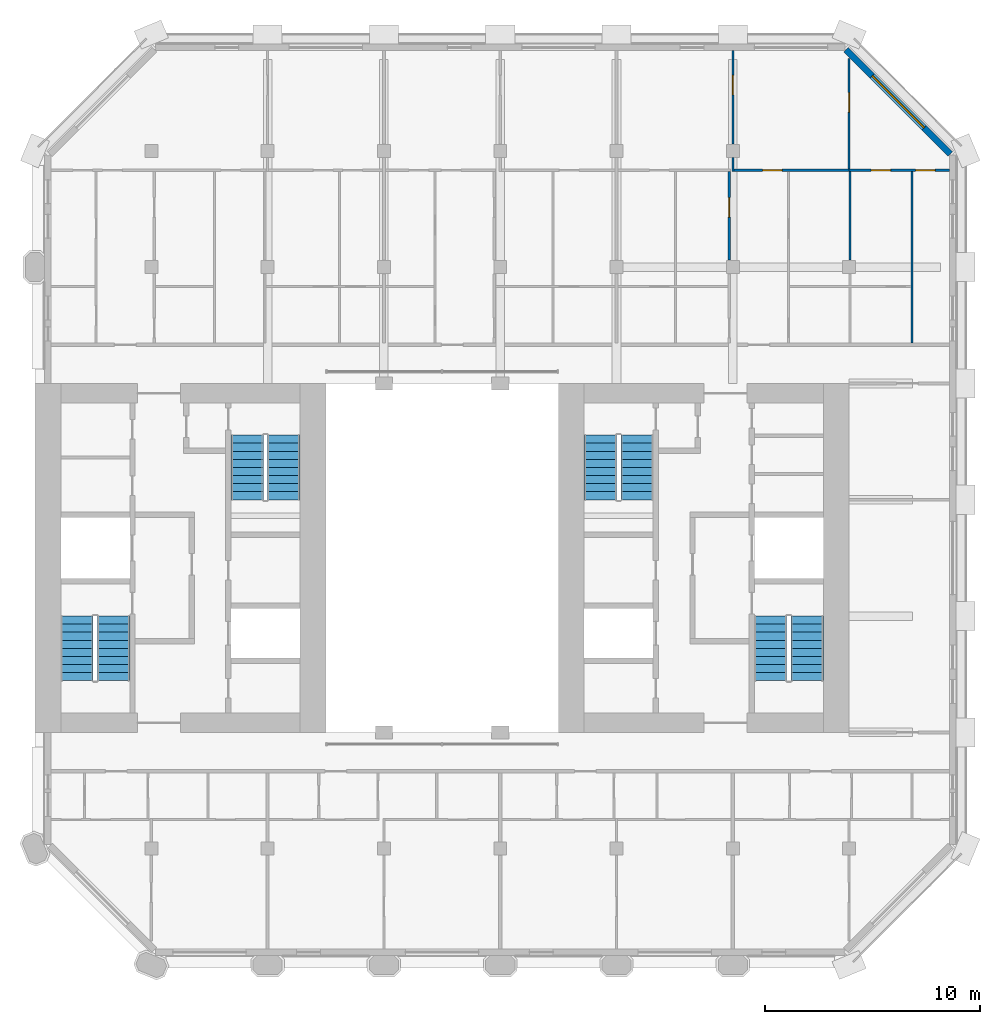
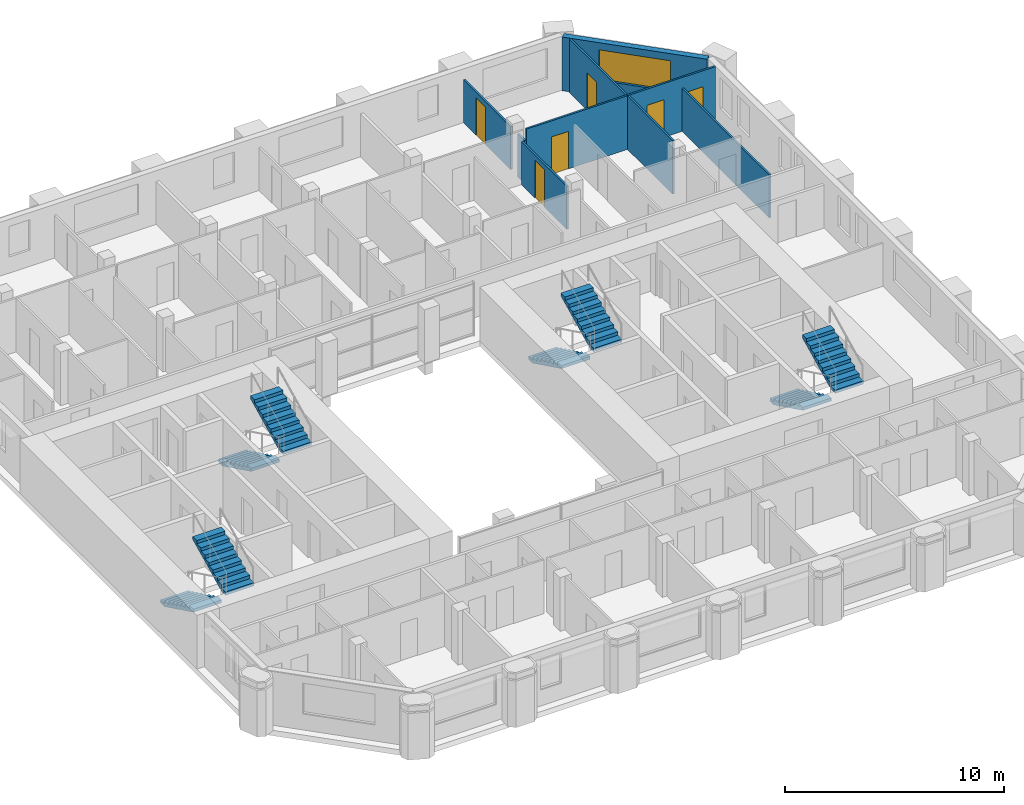
# One storey, part 10 of 13: 9 walls, 8 stair flights, 6 doors, 1 window, 7 openings, 4 elements without a shape of their own.
"""IFC4 building model written with IfcOpenShell, lengths in metres."""

from ifc_helpers import new_model, si_unit, direction, frame, frame_2d, origin, place, context, subcontext, project, spatial, polyline, rectangle, outline, extrude, material, layer, layer_set, type_object, element, fill, aggregate, save


model = new_model("IFC4")

# Units and contexts
model_context = context("Model", 3, precision=1e-05, world=origin(), true_north=direction((0.0, 1.0)))
body_context = subcontext(model_context, "Body", "Model", "MODEL_VIEW")
ifc_project = project(units=[si_unit("LENGTHUNIT", "METRE"), si_unit("AREAUNIT", "SQUARE_METRE"), si_unit("VOLUMEUNIT", "CUBIC_METRE"), si_unit("PLANEANGLEUNIT", "RADIAN"), si_unit("MASSUNIT", "GRAM", prefix="KILO")], contexts=[model_context])

# Site, building, storey
site_placement = place(None, origin())
site = spatial("IfcSite", under=ifc_project, at=site_placement, CompositionType="ELEMENT")
building_placement = place(site_placement, origin())
building = spatial("IfcBuilding", under=site, at=building_placement, Name="Tabaq Tower and Sports Hall", CompositionType="ELEMENT")
storey_placement = place(building_placement, frame((0.0, 0.0, 301.60009765625)))
storey = spatial("IfcBuildingStorey", under=building, at=storey_placement, Name="L75", CompositionType="ELEMENT", Elevation=301.60009765625)

# Wall
ifc_material_1 = material(Name="Gypsum board on steel studs", Category="steel")
ifc_layer_1 = layer(ifc_material_1, 0.10009765625)
ifc_layer_set_1 = layer_set([ifc_layer_1], Name="Partition 100 Gypsum board")
wall_type_1 = type_object("IfcWallType", Name="Partition 100 Gypsum board", PredefinedType="PARTITIONING", material=ifc_layer_set_1)
wall_1_placement = place(storey_placement, frame((37.800048828125, 42.25, 0.0), z_axis=(0.0, 0.0, 1.0), x_axis=(0.0, 1.0, 0.0)))
element("IfcWall", 1, at=wall_1_placement, inside=storey, type_object=wall_type_1, Name="Partition wall L75", PredefinedType="PARTITIONING", context=body_context, shape_type="SweptSolid", body=[
    extrude(rectangle(XDim=0.6298828125, YDim=0.10009765625, at=frame_2d((0.31494140625, 0.0))), origin(), (0.0, 0.0, 1.0), 2.39990234375),
])

# Wall, opening, door
wall_2_placement = place(storey_placement, frame((37.800048828125, 43.52001953125, 0.0), z_axis=(0.0, 0.0, 1.0), x_axis=(0.0, 1.0, 0.0)))
wall_2 = element("IfcWall", 2, at=wall_2_placement, inside=storey, type_object=wall_type_1, Name="Partition wall L75", PredefinedType="PARTITIONING", context=body_context, shape_type="SweptSolid", body=[
    extrude(rectangle(XDim=4.3291015625, YDim=0.10009765625, at=frame_2d((2.16455078125, 0.0))), origin(), (0.0, 0.0, 1.0), 2.39990234375),
])
opening_1_placement = place(wall_2_placement, frame((2.280029296875, 0.0, 0.0)))
opening_1 = element("IfcOpeningElement", 3, at=opening_1_placement, cuts=wall_2, Name="Opening L75-036", PredefinedType="OPENING", context=body_context, shape_type="SweptSolid", body=[
    extrude(rectangle(XDim=0.89990234375, YDim=2.10009765625, at=frame_2d((0.449951171875, 1.050048828125))), frame((0.0, 0.050048828125, 0.0), z_axis=(0.0, -1.0, 0.0), x_axis=(1.0, 0.0, 0.0)), (0.0, 0.0, 1.0), 0.10009765625),
])
ifc_material_2 = material(Name="Timber leaf in steel frame", Category="steel")
door_type_1 = type_object("IfcDoorType", Name="Internal door 900 right hand", OperationType="SINGLE_SWING_RIGHT", PredefinedType="DOOR", material=ifc_material_2)
door_1_placement = place(opening_1_placement, origin())
door_1 = element("IfcDoor", 4, at=door_1_placement, inside=storey, type_object=door_type_1, Name="Internal door L75-036", OperationType="SINGLE_SWING_RIGHT", OverallHeight=2.10009765625, OverallWidth=0.89990234375, PredefinedType="DOOR", context=body_context, shape_type="SweptSolid", body=[
    extrude(rectangle(XDim=0.89990234375, YDim=2.10009765625, at=frame_2d((0.449951171875, 1.050048828125))), frame((0.0, 0.02490234375, 0.0), z_axis=(0.0, -1.0, 0.0), x_axis=(1.0, 0.0, 0.0)), (0.0, 0.0, 1.0), 0.050048828125),
])
fill(opening_1, door_1)

wall_3_placement = place(storey_placement, frame((37.85009765625, 42.300048828125, 0.0), z_axis=(0.0, 0.0, 1.0), x_axis=(1.0, 0.0, 0.0)))
wall_3 = element("IfcWall", 5, at=wall_3_placement, inside=storey, type_object=wall_type_1, Name="Partition wall L75", PredefinedType="PARTITIONING", context=body_context, shape_type="SweptSolid", body=[
    extrude(rectangle(XDim=5.39990234375, YDim=0.10009765625, at=frame_2d((2.699951171875, 0.0))), origin(), (0.0, 0.0, 1.0), 3.0),
])
opening_2_placement = place(wall_3_placement, frame((1.3349609375, 0.0, 0.0)))
opening_2 = element("IfcOpeningElement", 6, at=opening_2_placement, cuts=wall_3, Name="Opening L75-054", PredefinedType="OPENING", context=body_context, shape_type="SweptSolid", body=[
    extrude(rectangle(XDim=0.89990234375, YDim=2.10009765625, at=frame_2d((0.449951171875, 1.050048828125))), frame((0.0, 0.050048828125, 0.0), z_axis=(0.0, -1.0, 0.0), x_axis=(1.0, 0.0, 0.0)), (0.0, 0.0, 1.0), 0.10009765625),
])
ifc_material_3 = material(Name="Timber leaf in steel frame", Category="steel")
door_type_2 = type_object("IfcDoorType", Name="Internal door 900 left hand", OperationType="SINGLE_SWING_LEFT", PredefinedType="DOOR", material=ifc_material_3)
door_2_placement = place(opening_2_placement, origin())
door_2 = element("IfcDoor", 7, at=door_2_placement, inside=storey, type_object=door_type_2, Name="Internal door L75-054", OperationType="SINGLE_SWING_LEFT", OverallHeight=2.10009765625, OverallWidth=0.89990234375, PredefinedType="DOOR", context=body_context, shape_type="SweptSolid", body=[
    extrude(rectangle(XDim=0.89990234375, YDim=2.10009765625, at=frame_2d((0.449951171875, 1.050048828125))), frame((0.0, 0.02490234375, 0.0), z_axis=(0.0, -1.0, 0.0), x_axis=(1.0, 0.0, 0.0)), (0.0, 0.0, 1.0), 0.050048828125),
])
fill(opening_2, door_2)

wall_4_placement = place(storey_placement, frame((43.199951171875, 42.35009765625, 0.0), z_axis=(0.0, 0.0, 1.0), x_axis=(0.0, 1.0, 0.0)))
wall_4 = element("IfcWall", 8, at=wall_4_placement, inside=storey, type_object=wall_type_1, Name="Partition wall L75", PredefinedType="PARTITIONING", context=body_context, shape_type="SweptSolid", body=[
    extrude(rectangle(XDim=5.1376953125, YDim=0.10009765625, at=frame_2d((2.56884765625, 0.0))), origin(), (0.0, 0.0, 1.0), 3.0),
])
opening_3_placement = place(wall_4_placement, frame((2.64990234375, 0.0, 0.0)))
opening_3 = element("IfcOpeningElement", 9, at=opening_3_placement, cuts=wall_4, Name="Opening L75-053", PredefinedType="OPENING", context=body_context, shape_type="SweptSolid", body=[
    extrude(rectangle(XDim=0.89990234375, YDim=2.10009765625, at=frame_2d((0.449951171875, 1.050048828125))), frame((0.0, 0.050048828125, 0.0), z_axis=(0.0, -1.0, 0.0), x_axis=(1.0, 0.0, 0.0)), (0.0, 0.0, 1.0), 0.10009765625),
])
door_3_placement = place(opening_3_placement, origin())
door_3 = element("IfcDoor", 10, at=door_3_placement, inside=storey, type_object=door_type_2, Name="Internal door L75-053", OperationType="SINGLE_SWING_LEFT", OverallHeight=2.10009765625, OverallWidth=0.89990234375, PredefinedType="DOOR", context=body_context, shape_type="SweptSolid", body=[
    extrude(rectangle(XDim=0.89990234375, YDim=2.10009765625, at=frame_2d((0.449951171875, 1.050048828125))), frame((0.0, 0.02490234375, 0.0), z_axis=(0.0, -1.0, 0.0), x_axis=(1.0, 0.0, 0.0)), (0.0, 0.0, 1.0), 0.050048828125),
])
fill(opening_3, door_3)

# Wall, openings, doors
wall_5_placement = place(storey_placement, frame((43.18505859375, 42.300048828125, 0.0), z_axis=(0.0, 0.0, 1.0), x_axis=(1.0, 0.0, 0.0)))
wall_5 = element("IfcWall", 11, at=wall_5_placement, inside=storey, type_object=wall_type_1, Name="Partition wall L75", PredefinedType="PARTITIONING", context=body_context, shape_type="SweptSolid", body=[
    extrude(rectangle(XDim=4.6640625, YDim=0.10009765625, at=frame_2d((2.33203125, 0.0))), origin(), (0.0, 0.0, 1.0), 3.0),
])
opening_4_placement = place(wall_5_placement, frame((3.10009765625, 0.0, 0.0)))
opening_4 = element("IfcOpeningElement", 12, at=opening_4_placement, cuts=wall_5, Name="Opening L75-011", PredefinedType="OPENING", context=body_context, shape_type="SweptSolid", body=[
    extrude(rectangle(XDim=0.89990234375, YDim=2.10009765625, at=frame_2d((0.449951171875, 1.050048828125))), frame((0.0, 0.050048828125, 0.0), z_axis=(0.0, -1.0, 0.0), x_axis=(1.0, 0.0, 0.0)), (0.0, 0.0, 1.0), 0.10009765625),
])
opening_5_placement = place(wall_5_placement, frame((1.0400390625, 0.0, 0.0)))
opening_5 = element("IfcOpeningElement", 13, at=opening_5_placement, cuts=wall_5, Name="Opening L75-038", PredefinedType="OPENING", context=body_context, shape_type="SweptSolid", body=[
    extrude(rectangle(XDim=0.89990234375, YDim=2.10009765625, at=frame_2d((0.449951171875, 1.050048828125))), frame((0.0, 0.050048828125, 0.0), z_axis=(0.0, -1.0, 0.0), x_axis=(1.0, 0.0, 0.0)), (0.0, 0.0, 1.0), 0.10009765625),
])
door_4_placement = place(opening_4_placement, origin())
door_4 = element("IfcDoor", 14, at=door_4_placement, inside=storey, type_object=door_type_2, Name="Internal door L75-011", OperationType="SINGLE_SWING_LEFT", OverallHeight=2.10009765625, OverallWidth=0.89990234375, PredefinedType="DOOR", context=body_context, shape_type="SweptSolid", body=[
    extrude(rectangle(XDim=0.89990234375, YDim=2.10009765625, at=frame_2d((0.449951171875, 1.050048828125))), frame((0.0, 0.02490234375, 0.0), z_axis=(0.0, -1.0, 0.0), x_axis=(1.0, 0.0, 0.0)), (0.0, 0.0, 1.0), 0.050048828125),
])
fill(opening_4, door_4)
door_5_placement = place(opening_5_placement, origin())
door_5 = element("IfcDoor", 15, at=door_5_placement, inside=storey, type_object=door_type_1, Name="Internal door L75-038", OperationType="SINGLE_SWING_RIGHT", OverallHeight=2.10009765625, OverallWidth=0.89990234375, PredefinedType="DOOR", context=body_context, shape_type="SweptSolid", body=[
    extrude(rectangle(XDim=0.89990234375, YDim=2.10009765625, at=frame_2d((0.449951171875, 1.050048828125))), frame((0.0, 0.02490234375, 0.0), z_axis=(0.0, -1.0, 0.0), x_axis=(1.0, 0.0, 0.0)), (0.0, 0.0, 1.0), 0.050048828125),
])
fill(opening_5, door_5)

# Wall, opening, door
wall_6_placement = place(storey_placement, frame((37.635009765625, 38.1201171875, 0.0), z_axis=(0.0, 0.0, 1.0), x_axis=(0.0, 1.0, 0.0)))
wall_6 = element("IfcWall", 16, at=wall_6_placement, inside=storey, type_object=wall_type_1, Name="Partition wall L75", PredefinedType="PARTITIONING", context=body_context, shape_type="SweptSolid", body=[
    extrude(rectangle(XDim=4.1298828125, YDim=0.10009765625, at=frame_2d((2.06494140625, 0.0))), origin(), (0.0, 0.0, 1.0), 2.39990234375),
])
opening_6_placement = place(wall_6_placement, frame((2.0048828125, 0.0, 0.0)))
opening_6 = element("IfcOpeningElement", 17, at=opening_6_placement, cuts=wall_6, Name="Opening L75-013", PredefinedType="OPENING", context=body_context, shape_type="SweptSolid", body=[
    extrude(rectangle(XDim=0.89990234375, YDim=2.10009765625, at=frame_2d((0.449951171875, 1.050048828125))), frame((0.0, 0.050048828125, 0.0), z_axis=(0.0, -1.0, 0.0), x_axis=(1.0, 0.0, 0.0)), (0.0, 0.0, 1.0), 0.10009765625),
])
door_6_placement = place(opening_6_placement, origin())
door_6 = element("IfcDoor", 18, at=door_6_placement, inside=storey, type_object=door_type_1, Name="Internal door L75-013", OperationType="SINGLE_SWING_RIGHT", OverallHeight=2.10009765625, OverallWidth=0.89990234375, PredefinedType="DOOR", context=body_context, shape_type="SweptSolid", body=[
    extrude(rectangle(XDim=0.89990234375, YDim=2.10009765625, at=frame_2d((0.449951171875, 1.050048828125))), frame((0.0, 0.02490234375, 0.0), z_axis=(0.0, -1.0, 0.0), x_axis=(1.0, 0.0, 0.0)), (0.0, 0.0, 1.0), 0.050048828125),
])
fill(opening_6, door_6)

# Walls
wall_7_placement = place(storey_placement, frame((43.235107421875, 38.1201171875, 0.0), z_axis=(0.0, 0.0, 1.0), x_axis=(0.0, 1.0, 0.0)))
element("IfcWall", 19, at=wall_7_placement, inside=storey, type_object=wall_type_1, Name="Partition wall L75", PredefinedType="PARTITIONING", context=body_context, shape_type="SweptSolid", body=[
    extrude(rectangle(XDim=4.1298828125, YDim=0.10009765625, at=frame_2d((2.06494140625, 0.0))), origin(), (0.0, 0.0, 1.0), 3.0),
])
wall_8_placement = place(storey_placement, frame((46.114990234375, 34.27490234375, 0.0), z_axis=(0.0, 0.0, 1.0), x_axis=(0.0, 1.0, 0.0)))
element("IfcWall", 20, at=wall_8_placement, inside=storey, type_object=wall_type_1, Name="Partition wall L75", PredefinedType="PARTITIONING", context=body_context, shape_type="SweptSolid", body=[
    extrude(rectangle(XDim=7.97509765625, YDim=0.10009765625, at=frame_2d((3.987548828125, 0.0))), origin(), (0.0, 0.0, 1.0), 2.39990234375),
])

# Wall, opening, window
ifc_material_4 = material(Name="White precast concrete C60/75", Category="concrete")
ifc_layer_2 = layer(ifc_material_4, 0.300048828125)
ifc_layer_set_2 = layer_set([ifc_layer_2], Name="White precast concrete C60/75 external wall 300")
wall_type_2 = type_object("IfcWallType", Name="White precast concrete C60/75 external wall 300", PredefinedType="SOLIDWALL", material=ifc_layer_set_2)
wall_9_placement = place(storey_placement, frame((47.901123046875, 43.050537109375, 0.0), z_axis=(0.0, 0.0, 1.0), x_axis=(-0.707106781187, 0.707106781187, 0.0)))
wall_9 = element("IfcWall", 21, at=wall_9_placement, inside=storey, type_object=wall_type_2, Name="External Wall L75 NE", PredefinedType="SOLIDWALL", context=body_context, shape_type="SweptSolid", body=[
    extrude(rectangle(XDim=6.85986328125, YDim=0.300048828125, at=frame_2d((3.429931640625, 0.0))), origin(), (0.0, 0.0, 1.0), 3.0),
])
opening_7_placement = place(wall_9_placement, frame((1.729736328125, 0.0, 0.89990234375)))
opening_7 = element("IfcOpeningElement", 22, at=opening_7_placement, cuts=wall_9, Name="Opening W1A", PredefinedType="OPENING", context=body_context, shape_type="SweptSolid", body=[
    extrude(rectangle(XDim=3.39990234375, YDim=1.699951171875, at=frame_2d((1.699951171875, 0.85009765625))), frame((0.0, 0.16015625, 0.0), z_axis=(0.0, -1.0, 0.0), x_axis=(1.0, 0.0, 0.0)), (0.0, 0.0, 1.0), 0.320068359375),
])
ifc_material_5 = material(Name="Aluminium framed clear glazing", Category="aluminium")
window_type = type_object("IfcWindowType", Name="Window W1A", PartitioningType="SINGLE_PANEL", PredefinedType="WINDOW", material=ifc_material_5)
window_placement = place(opening_7_placement, origin())
window = element("IfcWindow", 23, at=window_placement, inside=storey, type_object=window_type, Name="Window W1A L75", OverallHeight=1.699951171875, OverallWidth=3.39990234375, PartitioningType="SINGLE_PANEL", PredefinedType="WINDOW", context=body_context, shape_type="SweptSolid", body=[
    extrude(rectangle(XDim=3.39990234375, YDim=1.699951171875, at=frame_2d((1.699951171875, 0.85009765625))), frame((0.0, 0.030029296875, 0.0), z_axis=(0.0, -1.0, 0.0), x_axis=(1.0, 0.0, 0.0)), (0.0, 0.0, 1.0), 0.06005859375),
])
fill(opening_7, window)

# Stair, stair flights
ifc_material_6 = material(Name="Concrete C40/50", Category="concrete")
stair_type = type_object("IfcStairType", Name="Exit stair", PredefinedType="HALF_TURN_STAIR", material=ifc_material_6)
stair_1_placement = place(storey_placement, origin())
stair_1 = element("IfcStair", 24, at=stair_1_placement, inside=storey, type_object=stair_type, Name="L75 Exit stair ST1", PredefinedType="HALF_TURN_STAIR")
ifc_material_7 = material(Name="Concrete C40/50", Category="concrete")
stair_flight_type = type_object("IfcStairFlightType", Name="Exit stair flight", PredefinedType="STRAIGHT", material=ifc_material_7)
stair_flight_1_placement = place(storey_placement, frame((7.35009765625, 21.60009765625, 0.0), z_axis=(0.0, 0.0, 1.0), x_axis=(0.0, -1.0, 0.0)))
stair_flight_1 = element("IfcStairFlight", 25, at=stair_flight_1_placement, type_object=stair_flight_type, Name="ST1 flight 1", NumberOfRisers=9, NumberOfTreads=8, PredefinedType="STRAIGHT", RiserHeight=0.183333333, TreadLength=0.375, context=body_context, shape_type="SweptSolid", body=[
    extrude(outline(polyline([(0.0, 0.0), (0.0, 0.183349609375), (0.375, 0.183349609375), (0.375, 0.36669921875), (0.75, 0.36669921875), (0.75, 0.550048828125), (1.125, 0.550048828125), (1.125, 0.7333984375), (1.5, 0.7333984375), (1.5, 0.916748046875), (1.875, 0.916748046875), (1.875, 1.10009765625), (2.25, 1.10009765625), (2.25, 1.283447265625), (2.625, 1.283447265625), (2.625, 1.466552734375), (3.0, 1.466552734375), (3.0, 1.64990234375), (3.0, 1.2998046875), (0.34130859375, 0.0), (0.0, 0.0)])), frame((0.0, 0.75, 0.0), z_axis=(0.0, -1.0, 0.0), x_axis=(1.0, 0.0, 0.0)), (0.0, 0.0, 1.0), 1.5),
])
stair_flight_2_placement = place(storey_placement, frame((9.050048828125, 18.60009765625, 1.64990234375), z_axis=(0.0, 0.0, 1.0), x_axis=(0.0, 1.0, 0.0)))
stair_flight_2 = element("IfcStairFlight", 26, at=stair_flight_2_placement, type_object=stair_flight_type, Name="ST1 flight 2", NumberOfRisers=9, NumberOfTreads=8, PredefinedType="STRAIGHT", RiserHeight=0.183333333, TreadLength=0.375, context=body_context, shape_type="SweptSolid", body=[
    extrude(outline(polyline([(0.0, 0.0), (0.0, 0.183349609375), (0.375, 0.183349609375), (0.375, 0.36669921875), (0.75, 0.36669921875), (0.75, 0.550048828125), (1.125, 0.550048828125), (1.125, 0.7333984375), (1.5, 0.7333984375), (1.5, 0.916748046875), (1.875, 0.916748046875), (1.875, 1.10009765625), (2.25, 1.10009765625), (2.25, 1.283447265625), (2.625, 1.283447265625), (2.625, 1.466552734375), (3.0, 1.466552734375), (3.0, 1.64990234375), (3.0, 1.2998046875), (0.34130859375, 0.0), (0.0, 0.0)])), frame((0.0, 0.75, 0.0), z_axis=(0.0, -1.0, 0.0), x_axis=(1.0, 0.0, 0.0)), (0.0, 0.0, 1.0), 1.5),
])
aggregate(stair_1, [stair_flight_1, stair_flight_2])

stair_2_placement = place(storey_placement, origin())
stair_2 = element("IfcStair", 27, at=stair_2_placement, inside=storey, type_object=stair_type, Name="L75 Exit stair ST2", PredefinedType="HALF_TURN_STAIR")
stair_flight_3_placement = place(storey_placement, frame((15.25, 30.0, 0.0), z_axis=(0.0, 0.0, 1.0), x_axis=(0.0, -1.0, 0.0)))
stair_flight_3 = element("IfcStairFlight", 28, at=stair_flight_3_placement, type_object=stair_flight_type, Name="ST2 flight 1", NumberOfRisers=9, NumberOfTreads=8, PredefinedType="STRAIGHT", RiserHeight=0.183333333, TreadLength=0.375, context=body_context, shape_type="SweptSolid", body=[
    extrude(outline(polyline([(0.0, 0.0), (0.0, 0.183349609375), (0.375, 0.183349609375), (0.375, 0.36669921875), (0.75, 0.36669921875), (0.75, 0.550048828125), (1.125, 0.550048828125), (1.125, 0.7333984375), (1.5, 0.7333984375), (1.5, 0.916748046875), (1.875, 0.916748046875), (1.875, 1.10009765625), (2.25, 1.10009765625), (2.25, 1.283447265625), (2.625, 1.283447265625), (2.625, 1.466552734375), (3.0, 1.466552734375), (3.0, 1.64990234375), (3.0, 1.2998046875), (0.34130859375, 0.0), (0.0, 0.0)])), frame((0.0, 0.75, 0.0), z_axis=(0.0, -1.0, 0.0), x_axis=(1.0, 0.0, 0.0)), (0.0, 0.0, 1.0), 1.5),
])
stair_flight_4_placement = place(storey_placement, frame((16.949951171875, 27.0, 1.64990234375), z_axis=(0.0, 0.0, 1.0), x_axis=(0.0, 1.0, 0.0)))
stair_flight_4 = element("IfcStairFlight", 29, at=stair_flight_4_placement, type_object=stair_flight_type, Name="ST2 flight 2", NumberOfRisers=9, NumberOfTreads=8, PredefinedType="STRAIGHT", RiserHeight=0.183333333, TreadLength=0.375, context=body_context, shape_type="SweptSolid", body=[
    extrude(outline(polyline([(0.0, 0.0), (0.0, 0.183349609375), (0.375, 0.183349609375), (0.375, 0.36669921875), (0.75, 0.36669921875), (0.75, 0.550048828125), (1.125, 0.550048828125), (1.125, 0.7333984375), (1.5, 0.7333984375), (1.5, 0.916748046875), (1.875, 0.916748046875), (1.875, 1.10009765625), (2.25, 1.10009765625), (2.25, 1.283447265625), (2.625, 1.283447265625), (2.625, 1.466552734375), (3.0, 1.466552734375), (3.0, 1.64990234375), (3.0, 1.2998046875), (0.34130859375, 0.0), (0.0, 0.0)])), frame((0.0, 0.75, 0.0), z_axis=(0.0, -1.0, 0.0), x_axis=(1.0, 0.0, 0.0)), (0.0, 0.0, 1.0), 1.5),
])
aggregate(stair_2, [stair_flight_3, stair_flight_4])

stair_3_placement = place(storey_placement, origin())
stair_3 = element("IfcStair", 30, at=stair_3_placement, inside=storey, type_object=stair_type, Name="L75 Exit stair ST3", PredefinedType="HALF_TURN_STAIR")
stair_flight_5_placement = place(storey_placement, frame((39.550048828125, 21.60009765625, 0.0), z_axis=(0.0, 0.0, 1.0), x_axis=(0.0, -1.0, 0.0)))
stair_flight_5 = element("IfcStairFlight", 31, at=stair_flight_5_placement, type_object=stair_flight_type, Name="ST3 flight 1", NumberOfRisers=9, NumberOfTreads=8, PredefinedType="STRAIGHT", RiserHeight=0.183333333, TreadLength=0.375, context=body_context, shape_type="SweptSolid", body=[
    extrude(outline(polyline([(0.0, 0.0), (0.0, 0.183349609375), (0.375, 0.183349609375), (0.375, 0.36669921875), (0.75, 0.36669921875), (0.75, 0.550048828125), (1.125, 0.550048828125), (1.125, 0.7333984375), (1.5, 0.7333984375), (1.5, 0.916748046875), (1.875, 0.916748046875), (1.875, 1.10009765625), (2.25, 1.10009765625), (2.25, 1.283447265625), (2.625, 1.283447265625), (2.625, 1.466552734375), (3.0, 1.466552734375), (3.0, 1.64990234375), (3.0, 1.2998046875), (0.34130859375, 0.0), (0.0, 0.0)])), frame((0.0, 0.75, 0.0), z_axis=(0.0, -1.0, 0.0), x_axis=(1.0, 0.0, 0.0)), (0.0, 0.0, 1.0), 1.5),
])
stair_flight_6_placement = place(storey_placement, frame((41.25, 18.60009765625, 1.64990234375), z_axis=(0.0, 0.0, 1.0), x_axis=(0.0, 1.0, 0.0)))
stair_flight_6 = element("IfcStairFlight", 32, at=stair_flight_6_placement, type_object=stair_flight_type, Name="ST3 flight 2", NumberOfRisers=9, NumberOfTreads=8, PredefinedType="STRAIGHT", RiserHeight=0.183333333, TreadLength=0.375, context=body_context, shape_type="SweptSolid", body=[
    extrude(outline(polyline([(0.0, 0.0), (0.0, 0.183349609375), (0.375, 0.183349609375), (0.375, 0.36669921875), (0.75, 0.36669921875), (0.75, 0.550048828125), (1.125, 0.550048828125), (1.125, 0.7333984375), (1.5, 0.7333984375), (1.5, 0.916748046875), (1.875, 0.916748046875), (1.875, 1.10009765625), (2.25, 1.10009765625), (2.25, 1.283447265625), (2.625, 1.283447265625), (2.625, 1.466552734375), (3.0, 1.466552734375), (3.0, 1.64990234375), (3.0, 1.2998046875), (0.34130859375, 0.0), (0.0, 0.0)])), frame((0.0, 0.75, 0.0), z_axis=(0.0, -1.0, 0.0), x_axis=(1.0, 0.0, 0.0)), (0.0, 0.0, 1.0), 1.5),
])
aggregate(stair_3, [stair_flight_5, stair_flight_6])

stair_4_placement = place(storey_placement, origin())
stair_4 = element("IfcStair", 33, at=stair_4_placement, inside=storey, type_object=stair_type, Name="L75 Exit stair ST4", PredefinedType="HALF_TURN_STAIR")
stair_flight_7_placement = place(storey_placement, frame((31.64990234375, 30.0, 0.0), z_axis=(0.0, 0.0, 1.0), x_axis=(0.0, -1.0, 0.0)))
stair_flight_7 = element("IfcStairFlight", 34, at=stair_flight_7_placement, type_object=stair_flight_type, Name="ST4 flight 1", NumberOfRisers=9, NumberOfTreads=8, PredefinedType="STRAIGHT", RiserHeight=0.183333333, TreadLength=0.375, context=body_context, shape_type="SweptSolid", body=[
    extrude(outline(polyline([(0.0, 0.0), (0.0, 0.183349609375), (0.375, 0.183349609375), (0.375, 0.36669921875), (0.75, 0.36669921875), (0.75, 0.550048828125), (1.125, 0.550048828125), (1.125, 0.7333984375), (1.5, 0.7333984375), (1.5, 0.916748046875), (1.875, 0.916748046875), (1.875, 1.10009765625), (2.25, 1.10009765625), (2.25, 1.283447265625), (2.625, 1.283447265625), (2.625, 1.466552734375), (3.0, 1.466552734375), (3.0, 1.64990234375), (3.0, 1.2998046875), (0.34130859375, 0.0), (0.0, 0.0)])), frame((0.0, 0.75, 0.0), z_axis=(0.0, -1.0, 0.0), x_axis=(1.0, 0.0, 0.0)), (0.0, 0.0, 1.0), 1.5),
])
stair_flight_8_placement = place(storey_placement, frame((33.35009765625, 27.0, 1.64990234375), z_axis=(0.0, 0.0, 1.0), x_axis=(0.0, 1.0, 0.0)))
stair_flight_8 = element("IfcStairFlight", 35, at=stair_flight_8_placement, type_object=stair_flight_type, Name="ST4 flight 2", NumberOfRisers=9, NumberOfTreads=8, PredefinedType="STRAIGHT", RiserHeight=0.183333333, TreadLength=0.375, context=body_context, shape_type="SweptSolid", body=[
    extrude(outline(polyline([(0.0, 0.0), (0.0, 0.183349609375), (0.375, 0.183349609375), (0.375, 0.36669921875), (0.75, 0.36669921875), (0.75, 0.550048828125), (1.125, 0.550048828125), (1.125, 0.7333984375), (1.5, 0.7333984375), (1.5, 0.916748046875), (1.875, 0.916748046875), (1.875, 1.10009765625), (2.25, 1.10009765625), (2.25, 1.283447265625), (2.625, 1.283447265625), (2.625, 1.466552734375), (3.0, 1.466552734375), (3.0, 1.64990234375), (3.0, 1.2998046875), (0.34130859375, 0.0), (0.0, 0.0)])), frame((0.0, 0.75, 0.0), z_axis=(0.0, -1.0, 0.0), x_axis=(1.0, 0.0, 0.0)), (0.0, 0.0, 1.0), 1.5),
])
aggregate(stair_4, [stair_flight_7, stair_flight_8])

save(model, "model.ifc")
